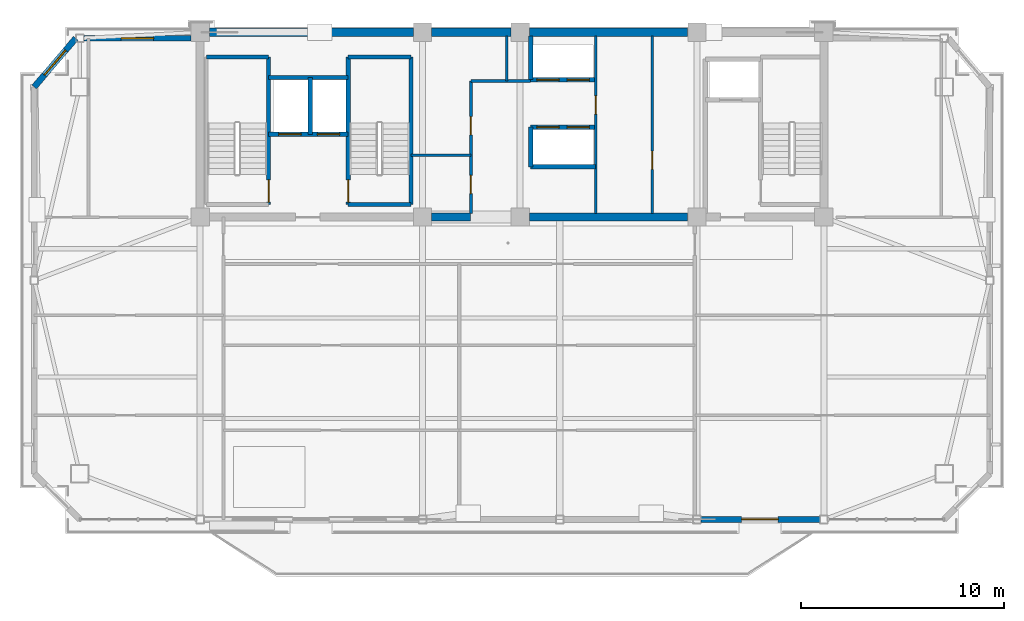
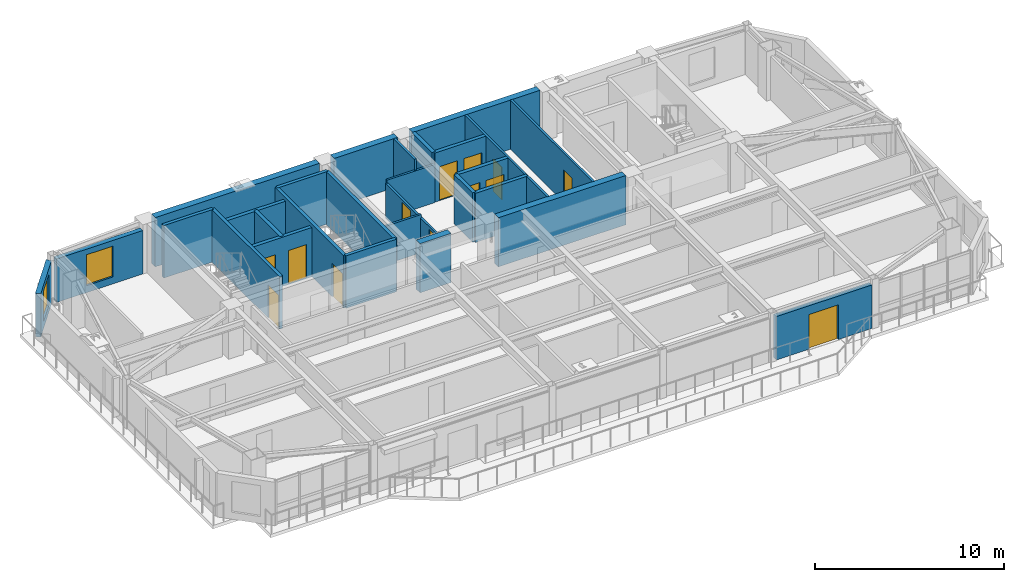
# One storey, part 7 of 13: 28 walls, 13 doors, 2 windows, 15 openings.
"""IFC4 building model written with IfcOpenShell, lengths in metres."""

from ifc_helpers import new_model, si_unit, direction, frame, frame_2d, origin, place, context, subcontext, project, spatial, rectangle, extrude, source, transform, mapped, material, layer, layer_set, type_object, element, fill, save


model = new_model("IFC4")

# Units and contexts
model_context = context("Model", 3, precision=1e-05, world=origin(), true_north=direction((0.0, 1.0)))
body_context = subcontext(model_context, "Body", "Model", "MODEL_VIEW")
ifc_project = project(units=[si_unit("LENGTHUNIT", "METRE"), si_unit("AREAUNIT", "SQUARE_METRE"), si_unit("VOLUMEUNIT", "CUBIC_METRE"), si_unit("PLANEANGLEUNIT", "RADIAN"), si_unit("MASSUNIT", "GRAM", prefix="KILO")], contexts=[model_context])

# Site, building, storey
site_placement = place(None, origin())
site = spatial("IfcSite", under=ifc_project, at=site_placement, CompositionType="ELEMENT")
building_placement = place(site_placement, origin())
building = spatial("IfcBuilding", under=site, at=building_placement, Name="Giltprow Tower", CompositionType="ELEMENT")
storey_placement = place(building_placement, frame((0.0, 0.0, 335.699951171875)))
storey = spatial("IfcBuildingStorey", under=building, at=storey_placement, Name="L87", CompositionType="ELEMENT", Elevation=335.699951171875)

# Wall, opening, window
ifc_material_1 = material(Name="Precast concrete C40", Category="concrete")
ifc_layer_1 = layer(ifc_material_1, 0.300048828125, Name="Precast concrete C40")
ifc_layer_set_1 = layer_set([ifc_layer_1], Name="Precast concrete C40")
wall_type_1 = type_object("IfcWallType", Name="EW-NOTCH-CHAMFER-300", PredefinedType="SOLIDWALL", material=ifc_layer_set_1)
wall_1_placement = place(storey_placement, frame((13.73095703125, 46.25, 0.0), z_axis=(0.0, 0.0, 1.0), x_axis=(-0.64936076944, -0.760480500153, 0.0)))
wall_1 = element("IfcWall", 1, at=wall_1_placement, inside=storey, type_object=wall_type_1, Name="L87 Corner Notch Wall NW", PredefinedType="SOLIDWALL", context=body_context, shape_type="SweptSolid", body=[
    extrude(rectangle(XDim=3.150634765625, YDim=0.300048828125, at=frame_2d((1.5751953125, 0.0))), origin(), (0.0, 0.0, 1.0), 2.81494140625),
])
opening_1_placement = place(wall_1_placement, frame((0.77490234375, 0.0, 0.449951171875)))
opening_1 = element("IfcOpeningElement", 2, at=opening_1_placement, cuts=wall_1, Name="Opening WN17", PredefinedType="OPENING", context=body_context, shape_type="SweptSolid", body=[
    extrude(rectangle(XDim=1.60009765625, YDim=2.0, at=frame_2d((0.800048828125, 1.0))), frame((0.0, 0.159912109375, 0.0), z_axis=(0.0, -1.0, 0.0), x_axis=(1.0, 0.0, 0.0)), (0.0, 0.0, 1.0), 0.320068359375),
])
ifc_material_2 = material(Name="Insulated glass", Category="glass")
window_type = type_object("IfcWindowType", Name="WN-COR-1600x2000", PartitioningType="SINGLE_PANEL", PredefinedType="WINDOW", material=ifc_material_2)
shared_shape_1 = source(origin(), body_context, "Body", "SweptSolid", [
    extrude(rectangle(XDim=1.60009765625, YDim=2.0, at=frame_2d((0.800048828125, 1.0))), frame((0.0, 0.030029296875, 0.0), z_axis=(0.0, -1.0, 0.0), x_axis=(1.0, 0.0, 0.0)), (0.0, 0.0, 1.0), 0.06005859375),
])
window_1_placement = place(opening_1_placement, origin())
window_1 = element("IfcWindow", 3, at=window_1_placement, inside=storey, type_object=window_type, Name="L87 Corner Notch Window NW", OverallHeight=2.0, OverallWidth=1.60009765625, PartitioningType="SINGLE_PANEL", PredefinedType="WINDOW", context=body_context, shape_type="MappedRepresentation", body=[
    mapped(shared_shape_1, transform((0.0, 0.0, 0.0), x_axis=(1.0, 0.0, 0.0), y_axis=(0.0, 1.0, 0.0), z_axis=(0.0, 0.0, 1.0), scale=1.0)),
])
fill(opening_1, window_1)

# Wall, opening, door
ifc_layer_2 = layer(ifc_material_1, 0.280029296875, Name="Precast concrete C40")
ifc_layer_set_2 = layer_set([ifc_layer_2], Name="Precast concrete C40")
wall_type_2 = type_object("IfcWallType", Name="EW-TOW-BRONZE-280", PredefinedType="SOLIDWALL", material=ifc_layer_set_2)
wall_2_placement = place(storey_placement, frame((44.5, 22.568115234375, 0.0), z_axis=(0.0, 0.0, 1.0), x_axis=(1.0, 0.0, 0.0)))
wall_2 = element("IfcWall", 4, at=wall_2_placement, inside=storey, type_object=wall_type_2, Name="L87 South Expressed Frame Wall 5", PredefinedType="SOLIDWALL", context=body_context, shape_type="SweptSolid", body=[
    extrude(rectangle(XDim=5.85009765625, YDim=0.280029296875, at=frame_2d((2.925048828125, 0.0))), origin(), (0.0, 0.0, 1.0), 2.81494140625),
])
opening_2_placement = place(wall_2_placement, frame((2.0, 0.0, 0.0)))
opening_2 = element("IfcOpeningElement", 5, at=opening_2_placement, cuts=wall_2, Name="Opening ED25", PredefinedType="OPENING", context=body_context, shape_type="SweptSolid", body=[
    extrude(rectangle(XDim=1.800048828125, YDim=2.25, at=frame_2d((0.89990234375, 1.125))), frame((0.0, 0.14990234375, 0.0), z_axis=(0.0, -1.0, 0.0), x_axis=(1.0, 0.0, 0.0)), (0.0, 0.0, 1.0), 0.300048828125),
])
ifc_material_3 = material(Name="Anodized bronze and glass", Category="glass")
door_type_1 = type_object("IfcDoorType", Name="DR-BALC-SLIDE-1800", OperationType="SLIDING_TO_LEFT", PredefinedType="DOOR", material=ifc_material_3)
shared_shape_2 = source(origin(), body_context, "Body", "SweptSolid", [
    extrude(rectangle(XDim=1.800048828125, YDim=2.25, at=frame_2d((0.89990234375, 1.125))), frame((0.0, 0.02490234375, 0.0), z_axis=(0.0, -1.0, 0.0), x_axis=(1.0, 0.0, 0.0)), (0.0, 0.0, 1.0), 0.050048828125),
])
door_1_placement = place(opening_2_placement, origin())
door_1 = element("IfcDoor", 6, at=door_1_placement, inside=storey, type_object=door_type_1, Name="L87 Waterfront Balcony Sliding Door 2", OperationType="SLIDING_TO_LEFT", OverallHeight=2.25, OverallWidth=1.800048828125, PredefinedType="DOOR", context=body_context, shape_type="MappedRepresentation", body=[
    mapped(shared_shape_2, transform((0.0, 0.0, 0.0), x_axis=(1.0, 0.0, 0.0), y_axis=(0.0, 1.0, 0.0), z_axis=(0.0, 0.0, 1.0), scale=1.0)),
])
fill(opening_2, door_1)

# Wall, opening, window
wall_3_placement = place(storey_placement, frame((14.131103515625, 46.25, 0.0), z_axis=(0.0, 0.0, 1.0), x_axis=(1.0, 0.0, 0.0)))
wall_3 = element("IfcWall", 7, at=wall_3_placement, inside=storey, type_object=wall_type_2, Name="L87 North-West Wing Wall", PredefinedType="SOLIDWALL", context=body_context, shape_type="SweptSolid", body=[
    extrude(rectangle(XDim=5.268798828125, YDim=0.280029296875, at=frame_2d((2.63427734375, 0.0))), origin(), (0.0, 0.0, 1.0), 2.81494140625),
])
opening_3_placement = place(wall_3_placement, frame((1.833984375, 0.0, 0.449951171875)))
opening_3 = element("IfcOpeningElement", 8, at=opening_3_placement, cuts=wall_3, Name="Opening WN17", PredefinedType="OPENING", context=body_context, shape_type="SweptSolid", body=[
    extrude(rectangle(XDim=1.60009765625, YDim=2.0, at=frame_2d((0.800048828125, 1.0))), frame((0.0, 0.14990234375, 0.0), z_axis=(0.0, -1.0, 0.0), x_axis=(1.0, 0.0, 0.0)), (0.0, 0.0, 1.0), 0.300048828125),
])
window_2_placement = place(opening_3_placement, origin())
window_2 = element("IfcWindow", 9, at=window_2_placement, inside=storey, type_object=window_type, Name="L87 North-West Window", OverallHeight=2.0, OverallWidth=1.60009765625, PartitioningType="SINGLE_PANEL", PredefinedType="WINDOW", context=body_context, shape_type="MappedRepresentation", body=[
    mapped(shared_shape_1, transform((0.0, 0.0, 0.0), x_axis=(1.0, 0.0, 0.0), y_axis=(0.0, 1.0, 0.0), z_axis=(0.0, 0.0, 1.0), scale=1.0)),
])
fill(opening_3, window_2)

# Wall, openings, doors
ifc_material_4 = material(Name="Concrete C40", Category="concrete")
ifc_layer_3 = layer(ifc_material_4, 0.219970703125, Name="Concrete C40")
ifc_layer_set_3 = layer_set([ifc_layer_3], Name="Concrete C40")
wall_type_3 = type_object("IfcWallType", Name="IW-SHAFT-220", PredefinedType="SOLIDWALL", material=ifc_layer_set_3)
wall_4_placement = place(storey_placement, frame((23.219970703125, 41.52001953125, 0.0), z_axis=(0.0, 0.0, 1.0), x_axis=(1.0, 0.0, 0.0)))
wall_4 = element("IfcWall", 10, at=wall_4_placement, inside=storey, type_object=wall_type_3, Name="L87 FFL1 and Service Lift Front Wall", PredefinedType="SOLIDWALL", context=body_context, shape_type="SweptSolid", body=[
    extrude(rectangle(XDim=3.919921875, YDim=0.219970703125, at=frame_2d((1.9599609375, 0.0))), origin(), (0.0, 0.0, 1.0), 3.18505859375),
])
opening_4_placement = place(wall_4_placement, frame((0.5, 0.0, 0.0)))
opening_4 = element("IfcOpeningElement", 11, at=opening_4_placement, cuts=wall_4, Name="Opening LD-11", PredefinedType="OPENING", context=body_context, shape_type="SweptSolid", body=[
    extrude(rectangle(XDim=1.10009765625, YDim=2.199951171875, at=frame_2d((0.550048828125, 1.10009765625))), frame((0.0, 0.119873046875, 0.0), z_axis=(0.0, -1.0, 0.0), x_axis=(1.0, 0.0, 0.0)), (0.0, 0.0, 1.0), 0.239990234375),
])
opening_5_placement = place(wall_4_placement, frame((2.39990234375, 0.0, 0.0)))
opening_5 = element("IfcOpeningElement", 12, at=opening_5_placement, cuts=wall_4, Name="Opening LD-11", PredefinedType="OPENING", context=body_context, shape_type="SweptSolid", body=[
    extrude(rectangle(XDim=1.10009765625, YDim=2.199951171875, at=frame_2d((0.550048828125, 1.10009765625))), frame((0.0, 0.119873046875, 0.0), z_axis=(0.0, -1.0, 0.0), x_axis=(1.0, 0.0, 0.0)), (0.0, 0.0, 1.0), 0.239990234375),
])
ifc_material_5 = material(Name="Stainless steel", Category="steel")
door_type_2 = type_object("IfcDoorType", Name="DR-LIFT-LD1100", OperationType="SLIDING_TO_LEFT", PredefinedType="DOOR", material=ifc_material_5)
shared_shape_3 = source(origin(), body_context, "Body", "SweptSolid", [
    extrude(rectangle(XDim=1.10009765625, YDim=2.199951171875, at=frame_2d((0.550048828125, 1.10009765625))), frame((0.0, 0.02490234375, 0.0), z_axis=(0.0, -1.0, 0.0), x_axis=(1.0, 0.0, 0.0)), (0.0, 0.0, 1.0), 0.050048828125),
])
door_2_placement = place(opening_4_placement, origin())
door_2 = element("IfcDoor", 13, at=door_2_placement, inside=storey, type_object=door_type_2, Name="L87 FFL1 Landing Door", OperationType="SLIDING_TO_LEFT", OverallHeight=2.199951171875, OverallWidth=1.10009765625, PredefinedType="DOOR", context=body_context, shape_type="MappedRepresentation", body=[
    mapped(shared_shape_3, transform((0.0, 0.0, 0.0), x_axis=(1.0, 0.0, 0.0), y_axis=(0.0, 1.0, 0.0), z_axis=(0.0, 0.0, 1.0), scale=1.0)),
])
fill(opening_4, door_2)
door_3_placement = place(opening_5_placement, origin())
door_3 = element("IfcDoor", 14, at=door_3_placement, inside=storey, type_object=door_type_2, Name="L87 SVL1 Landing Door", OperationType="SLIDING_TO_LEFT", OverallHeight=2.199951171875, OverallWidth=1.10009765625, PredefinedType="DOOR", context=body_context, shape_type="MappedRepresentation", body=[
    mapped(shared_shape_3, transform((0.0, 0.0, 0.0), x_axis=(1.0, 0.0, 0.0), y_axis=(0.0, 1.0, 0.0), z_axis=(0.0, 0.0, 1.0), scale=1.0)),
])
fill(opening_5, door_3)

# Walls
wall_5_placement = place(storey_placement, frame((25.260009765625, 41.52001953125, 0.0), z_axis=(0.0, 0.0, 1.0), x_axis=(0.0, 1.0, 0.0)))
element("IfcWall", 15, at=wall_5_placement, inside=storey, type_object=wall_type_3, Name="L87 FFL1-SVL1 Shaft Divider", PredefinedType="SOLIDWALL", context=body_context, shape_type="SweptSolid", body=[
    extrude(rectangle(XDim=2.800048828125, YDim=0.219970703125, at=frame_2d((1.39990234375, 0.0))), origin(), (0.0, 0.0, 1.0), 3.18505859375),
])
wall_6_placement = place(storey_placement, frame((23.219970703125, 44.320068359375, 0.0), z_axis=(0.0, 0.0, 1.0), x_axis=(1.0, 0.0, 0.0)))
element("IfcWall", 16, at=wall_6_placement, inside=storey, type_object=wall_type_3, Name="L87 FFL1-SVL1 Back Shaft Wall", PredefinedType="SOLIDWALL", context=body_context, shape_type="SweptSolid", body=[
    extrude(rectangle(XDim=3.919921875, YDim=0.219970703125, at=frame_2d((1.9599609375, 0.0))), origin(), (0.0, 0.0, 1.0), 3.18505859375),
])

# Wall, openings, doors
wall_7_placement = place(storey_placement, frame((36.1201171875, 44.219970703125, 0.0), z_axis=(0.0, 0.0, 1.0), x_axis=(1.0, 0.0, 0.0)))
wall_7 = element("IfcWall", 17, at=wall_7_placement, inside=storey, type_object=wall_type_3, Name="L87 High-Rise Lift Shaft Front Wall N", PredefinedType="SOLIDWALL", context=body_context, shape_type="SweptSolid", body=[
    extrude(rectangle(XDim=3.199951171875, YDim=0.219970703125, at=frame_2d((1.60009765625, 0.0))), origin(), (0.0, 0.0, 1.0), 3.18505859375),
])
opening_6_placement = place(wall_7_placement, frame((0.300048828125, 0.0, 0.0)))
opening_6 = element("IfcOpeningElement", 18, at=opening_6_placement, cuts=wall_7, Name="Opening LD-11", PredefinedType="OPENING", context=body_context, shape_type="SweptSolid", body=[
    extrude(rectangle(XDim=1.10009765625, YDim=2.199951171875, at=frame_2d((0.550048828125, 1.10009765625))), frame((0.0, 0.119873046875, 0.0), z_axis=(0.0, -1.0, 0.0), x_axis=(1.0, 0.0, 0.0)), (0.0, 0.0, 1.0), 0.239990234375),
])
opening_7_placement = place(wall_7_placement, frame((1.7900390625, 0.0, 0.0)))
opening_7 = element("IfcOpeningElement", 19, at=opening_7_placement, cuts=wall_7, Name="Opening LD-11", PredefinedType="OPENING", context=body_context, shape_type="SweptSolid", body=[
    extrude(rectangle(XDim=1.10009765625, YDim=2.199951171875, at=frame_2d((0.550048828125, 1.10009765625))), frame((0.0, 0.119873046875, 0.0), z_axis=(0.0, -1.0, 0.0), x_axis=(1.0, 0.0, 0.0)), (0.0, 0.0, 1.0), 0.239990234375),
])
door_4_placement = place(opening_6_placement, origin())
door_4 = element("IfcDoor", 20, at=door_4_placement, inside=storey, type_object=door_type_2, Name="L87 PL-H1 Landing Door", OperationType="SLIDING_TO_LEFT", OverallHeight=2.199951171875, OverallWidth=1.10009765625, PredefinedType="DOOR", context=body_context, shape_type="MappedRepresentation", body=[
    mapped(shared_shape_3, transform((0.0, 0.0, 0.0), x_axis=(1.0, 0.0, 0.0), y_axis=(0.0, 1.0, 0.0), z_axis=(0.0, 0.0, 1.0), scale=1.0)),
])
fill(opening_6, door_4)
door_5_placement = place(opening_7_placement, origin())
door_5 = element("IfcDoor", 21, at=door_5_placement, inside=storey, type_object=door_type_2, Name="L87 PL-H2 Landing Door", OperationType="SLIDING_TO_LEFT", OverallHeight=2.199951171875, OverallWidth=1.10009765625, PredefinedType="DOOR", context=body_context, shape_type="MappedRepresentation", body=[
    mapped(shared_shape_3, transform((0.0, 0.0, 0.0), x_axis=(1.0, 0.0, 0.0), y_axis=(0.0, 1.0, 0.0), z_axis=(0.0, 0.0, 1.0), scale=1.0)),
])
fill(opening_7, door_5)

wall_8_placement = place(storey_placement, frame((36.1201171875, 41.8798828125, 0.0), z_axis=(0.0, 0.0, 1.0), x_axis=(1.0, 0.0, 0.0)))
wall_8 = element("IfcWall", 22, at=wall_8_placement, inside=storey, type_object=wall_type_3, Name="L87 High-Rise Lift Shaft Front Wall S", PredefinedType="SOLIDWALL", context=body_context, shape_type="SweptSolid", body=[
    extrude(rectangle(XDim=3.199951171875, YDim=0.219970703125, at=frame_2d((1.60009765625, 0.0))), origin(), (0.0, 0.0, 1.0), 3.18505859375),
])
opening_8_placement = place(wall_8_placement, frame((0.300048828125, 0.0, 0.0)))
opening_8 = element("IfcOpeningElement", 23, at=opening_8_placement, cuts=wall_8, Name="Opening LD-11", PredefinedType="OPENING", context=body_context, shape_type="SweptSolid", body=[
    extrude(rectangle(XDim=1.10009765625, YDim=2.199951171875, at=frame_2d((0.550048828125, 1.10009765625))), frame((0.0, 0.119873046875, 0.0), z_axis=(0.0, -1.0, 0.0), x_axis=(1.0, 0.0, 0.0)), (0.0, 0.0, 1.0), 0.239990234375),
])
opening_9_placement = place(wall_8_placement, frame((1.7900390625, 0.0, 0.0)))
opening_9 = element("IfcOpeningElement", 24, at=opening_9_placement, cuts=wall_8, Name="Opening LD-11", PredefinedType="OPENING", context=body_context, shape_type="SweptSolid", body=[
    extrude(rectangle(XDim=1.10009765625, YDim=2.199951171875, at=frame_2d((0.550048828125, 1.10009765625))), frame((0.0, 0.119873046875, 0.0), z_axis=(0.0, -1.0, 0.0), x_axis=(1.0, 0.0, 0.0)), (0.0, 0.0, 1.0), 0.239990234375),
])
door_6_placement = place(opening_8_placement, origin())
door_6 = element("IfcDoor", 25, at=door_6_placement, inside=storey, type_object=door_type_2, Name="L87 PL-H3 Landing Door", OperationType="SLIDING_TO_LEFT", OverallHeight=2.199951171875, OverallWidth=1.10009765625, PredefinedType="DOOR", context=body_context, shape_type="MappedRepresentation", body=[
    mapped(shared_shape_3, transform((0.0, 0.0, 0.0), x_axis=(1.0, 0.0, 0.0), y_axis=(0.0, 1.0, 0.0), z_axis=(0.0, 0.0, 1.0), scale=1.0)),
])
fill(opening_8, door_6)
door_7_placement = place(opening_9_placement, origin())
door_7 = element("IfcDoor", 26, at=door_7_placement, inside=storey, type_object=door_type_2, Name="L87 PL-H4 Landing Door", OperationType="SLIDING_TO_LEFT", OverallHeight=2.199951171875, OverallWidth=1.10009765625, PredefinedType="DOOR", context=body_context, shape_type="MappedRepresentation", body=[
    mapped(shared_shape_3, transform((0.0, 0.0, 0.0), x_axis=(1.0, 0.0, 0.0), y_axis=(0.0, 1.0, 0.0), z_axis=(0.0, 0.0, 1.0), scale=1.0)),
])
fill(opening_9, door_7)

# Walls
wall_9_placement = place(storey_placement, frame((36.1201171875, 39.919921875, 0.0), z_axis=(0.0, 0.0, 1.0), x_axis=(1.0, 0.0, 0.0)))
element("IfcWall", 27, at=wall_9_placement, inside=storey, type_object=wall_type_3, Name="L87 High-Rise South Lift Back Wall", PredefinedType="SOLIDWALL", context=body_context, shape_type="SweptSolid", body=[
    extrude(rectangle(XDim=3.199951171875, YDim=0.219970703125, at=frame_2d((1.60009765625, 0.0))), origin(), (0.0, 0.0, 1.0), 3.18505859375),
])
wall_10_placement = place(storey_placement, frame((36.1201171875, 39.919921875, 0.0), z_axis=(0.0, 0.0, 1.0), x_axis=(0.0, 1.0, 0.0)))
element("IfcWall", 28, at=wall_10_placement, inside=storey, type_object=wall_type_3, Name="L87 High-Rise South Lift West Closure", PredefinedType="SOLIDWALL", context=body_context, shape_type="SweptSolid", body=[
    extrude(rectangle(XDim=1.9599609375, YDim=0.219970703125, at=frame_2d((0.97998046875, 0.0))), origin(), (0.0, 0.0, 1.0), 3.18505859375),
])
wall_11_placement = place(storey_placement, frame((36.1201171875, 44.219970703125, 0.0), z_axis=(0.0, 0.0, 1.0), x_axis=(0.0, 1.0, 0.0)))
element("IfcWall", 29, at=wall_11_placement, inside=storey, type_object=wall_type_3, Name="L87 High-Rise North Lift West Closure", PredefinedType="SOLIDWALL", context=body_context, shape_type="SweptSolid", body=[
    extrude(rectangle(XDim=2.150146484375, YDim=0.219970703125, at=frame_2d((1.0751953125, 0.0))), origin(), (0.0, 0.0, 1.0), 3.18505859375),
])

# Wall, opening, door
ifc_layer_4 = layer(ifc_material_4, 0.199951171875, Name="Concrete C40")
ifc_layer_set_4 = layer_set([ifc_layer_4], Name="Concrete C40")
wall_type_4 = type_object("IfcWallType", Name="IW-STAIR-200", PredefinedType="SOLIDWALL", material=ifc_layer_set_4)
wall_12_placement = place(storey_placement, frame((23.219970703125, 38.070068359375, 0.0), z_axis=(0.0, 0.0, 1.0), x_axis=(0.0, 1.0, 0.0)))
wall_12 = element("IfcWall", 30, at=wall_12_placement, inside=storey, type_object=wall_type_4, Name="L87 Stair ST-1 East Bearing Wall", PredefinedType="SOLIDWALL", context=body_context, shape_type="SweptSolid", body=[
    extrude(rectangle(XDim=7.25, YDim=0.199951171875, at=frame_2d((3.625, 0.0))), origin(), (0.0, 0.0, 1.0), 3.400146484375),
])
opening_10_placement = place(wall_12_placement, frame((0.110107421875, 0.0, 0.0)))
opening_10 = element("IfcOpeningElement", 31, at=opening_10_placement, cuts=wall_12, Name="Opening ID33", PredefinedType="OPENING", context=body_context, shape_type="SweptSolid", body=[
    extrude(rectangle(XDim=1.10009765625, YDim=2.14990234375, at=frame_2d((0.550048828125, 1.074951171875))), frame((0.0, 0.10986328125, 0.0), z_axis=(0.0, -1.0, 0.0), x_axis=(1.0, 0.0, 0.0)), (0.0, 0.0, 1.0), 0.219970703125),
])
ifc_material_6 = material(Name="Steel fire leaf", Category="steel")
door_type_3 = type_object("IfcDoorType", Name="DR-STAIR-1100", OperationType="SINGLE_SWING_LEFT", PredefinedType="DOOR", material=ifc_material_6)
shared_shape_4 = source(origin(), body_context, "Body", "SweptSolid", [
    extrude(rectangle(XDim=1.10009765625, YDim=2.14990234375, at=frame_2d((0.550048828125, 1.074951171875))), frame((0.0, 0.02490234375, 0.0), z_axis=(0.0, -1.0, 0.0), x_axis=(1.0, 0.0, 0.0)), (0.0, 0.0, 1.0), 0.050048828125),
])
door_8_placement = place(opening_10_placement, origin())
door_8 = element("IfcDoor", 32, at=door_8_placement, inside=storey, type_object=door_type_3, Name="L87 Stair ST-1 Fire Door", OperationType="SINGLE_SWING_RIGHT", OverallHeight=2.14990234375, OverallWidth=1.10009765625, PredefinedType="DOOR", context=body_context, shape_type="MappedRepresentation", body=[
    mapped(shared_shape_4, transform((0.0, 0.0, 0.0), x_axis=(1.0, 0.0, 0.0), y_axis=(0.0, 1.0, 0.0), z_axis=(0.0, 0.0, 1.0), scale=1.0)),
])
fill(opening_10, door_8)

# Wall
wall_13_placement = place(storey_placement, frame((20.169921875, 45.320068359375, 0.0), z_axis=(0.0, 0.0, 1.0), x_axis=(1.0, 0.0, 0.0)))
element("IfcWall", 33, at=wall_13_placement, inside=storey, type_object=wall_type_4, Name="L87 Stair ST-1 North Bearing Wall", PredefinedType="SOLIDWALL", context=body_context, shape_type="SweptSolid", body=[
    extrude(rectangle(XDim=3.050048828125, YDim=0.199951171875, at=frame_2d((1.52490234375, 0.0))), origin(), (0.0, 0.0, 1.0), 3.400146484375),
])

# Wall, opening, door
wall_14_placement = place(storey_placement, frame((27.139892578125, 38.070068359375, 0.0), z_axis=(0.0, 0.0, 1.0), x_axis=(0.0, 1.0, 0.0)))
wall_14 = element("IfcWall", 34, at=wall_14_placement, inside=storey, type_object=wall_type_4, Name="L87 Stair ST-2 West Bearing Wall", PredefinedType="SOLIDWALL", context=body_context, shape_type="SweptSolid", body=[
    extrude(rectangle(XDim=7.25, YDim=0.199951171875, at=frame_2d((3.625, 0.0))), origin(), (0.0, 0.0, 1.0), 3.400146484375),
])
opening_11_placement = place(wall_14_placement, frame((0.110107421875, 0.0, 0.0)))
opening_11 = element("IfcOpeningElement", 35, at=opening_11_placement, cuts=wall_14, Name="Opening ID33", PredefinedType="OPENING", context=body_context, shape_type="SweptSolid", body=[
    extrude(rectangle(XDim=1.10009765625, YDim=2.14990234375, at=frame_2d((0.550048828125, 1.074951171875))), frame((0.0, 0.10986328125, 0.0), z_axis=(0.0, -1.0, 0.0), x_axis=(1.0, 0.0, 0.0)), (0.0, 0.0, 1.0), 0.219970703125),
])
door_9_placement = place(opening_11_placement, origin())
door_9 = element("IfcDoor", 36, at=door_9_placement, inside=storey, type_object=door_type_3, Name="L87 Stair ST-2 Fire Door", OperationType="SINGLE_SWING_LEFT", OverallHeight=2.14990234375, OverallWidth=1.10009765625, PredefinedType="DOOR", context=body_context, shape_type="MappedRepresentation", body=[
    mapped(shared_shape_4, transform((0.0, 0.0, 0.0), x_axis=(1.0, 0.0, 0.0), y_axis=(0.0, 1.0, 0.0), z_axis=(0.0, 0.0, 1.0), scale=1.0)),
])
fill(opening_11, door_9)

# Walls
wall_15_placement = place(storey_placement, frame((30.219970703125, 38.070068359375, 0.0), z_axis=(0.0, 0.0, 1.0), x_axis=(0.0, 1.0, 0.0)))
element("IfcWall", 37, at=wall_15_placement, inside=storey, type_object=wall_type_4, Name="L87 Stair ST-2 East Bearing Wall", PredefinedType="SOLIDWALL", context=body_context, shape_type="SweptSolid", body=[
    extrude(rectangle(XDim=7.25, YDim=0.199951171875, at=frame_2d((3.625, 0.0))), origin(), (0.0, 0.0, 1.0), 3.400146484375),
])
for number, where, z_axis, x_axis, name in (
    (38, (27.139892578125, 45.320068359375, 0.0), (0.0, 0.0, 1.0), (1.0, 0.0, 0.0), "L87 Stair ST-2 North Bearing Wall"),
    (39, (27.139892578125, 38.070068359375, 0.0), (0.0, 0.0, 1.0), (1.0, 0.0, 0.0), "L87 Stair ST-2 South Bearing Wall"),
):
    element("IfcWall", number, at=place(storey_placement, frame(where, z_axis=z_axis, x_axis=x_axis)), inside=storey, type_object=wall_type_4, Name=name, PredefinedType="SOLIDWALL", context=body_context, shape_type="SweptSolid", body=[
        extrude(rectangle(XDim=3.080078125, YDim=0.199951171875, at=frame_2d((1.5400390625, 0.0))), origin(), (0.0, 0.0, 1.0), 3.400146484375),
    ])

# Wall, openings, doors
ifc_material_7 = material(Name="Concrete C30", Category="concrete")
ifc_layer_5 = layer(ifc_material_7, 0.1298828125, Name="Concrete C30")
ifc_layer_set_5 = layer_set([ifc_layer_5], Name="Concrete C30")
wall_type_5 = type_object("IfcWallType", Name="IW-WET-130", PredefinedType="PARTITIONING", material=ifc_layer_set_5)
wall_16_placement = place(storey_placement, frame((33.179931640625, 37.6298828125, 0.0), z_axis=(0.0, 0.0, 1.0), x_axis=(0.0, 1.0, 0.0)))
wall_16 = element("IfcWall", 40, at=wall_16_placement, inside=storey, type_object=wall_type_5, Name="L87 Reclaimed West Core Wall", PredefinedType="PARTITIONING", context=body_context, shape_type="SweptSolid", body=[
    extrude(rectangle(XDim=6.52001953125, YDim=0.1298828125, at=frame_2d((3.260009765625, 0.0))), origin(), (0.0, 0.0, 1.0), 2.27001953125),
])
opening_12_placement = place(wall_16_placement, frame((0.969970703125, 0.0, 0.0)))
opening_12 = element("IfcOpeningElement", 41, at=opening_12_placement, cuts=wall_16, Name="Opening ID35", PredefinedType="OPENING", context=body_context, shape_type="SweptSolid", body=[
    extrude(rectangle(XDim=0.89990234375, YDim=2.10009765625, at=frame_2d((0.449951171875, 1.050048828125))), frame((0.0, 0.074951171875, 0.0), z_axis=(0.0, -1.0, 0.0), x_axis=(1.0, 0.0, 0.0)), (0.0, 0.0, 1.0), 0.14990234375),
])
opening_13_placement = place(wall_16_placement, frame((3.8701171875, 0.0, 0.0)))
opening_13 = element("IfcOpeningElement", 42, at=opening_13_placement, cuts=wall_16, Name="Opening ID35", PredefinedType="OPENING", context=body_context, shape_type="SweptSolid", body=[
    extrude(rectangle(XDim=0.89990234375, YDim=2.10009765625, at=frame_2d((0.449951171875, 1.050048828125))), frame((0.0, 0.074951171875, 0.0), z_axis=(0.0, -1.0, 0.0), x_axis=(1.0, 0.0, 0.0)), (0.0, 0.0, 1.0), 0.14990234375),
])
door_type_4 = type_object("IfcDoorType", Name="DR-SHAFT-900", OperationType="SINGLE_SWING_LEFT", PredefinedType="DOOR", material=ifc_material_6)
shared_shape_5 = source(origin(), body_context, "Body", "SweptSolid", [
    extrude(rectangle(XDim=0.89990234375, YDim=2.10009765625, at=frame_2d((0.449951171875, 1.050048828125))), frame((0.0, 0.02490234375, 0.0), z_axis=(0.0, -1.0, 0.0), x_axis=(1.0, 0.0, 0.0)), (0.0, 0.0, 1.0), 0.050048828125),
])
door_10_placement = place(opening_12_placement, origin())
door_10 = element("IfcDoor", 43, at=door_10_placement, inside=storey, type_object=door_type_4, Name="L87 Core Powder WC Door", OperationType="SINGLE_SWING_LEFT", OverallHeight=2.10009765625, OverallWidth=0.89990234375, PredefinedType="DOOR", context=body_context, shape_type="MappedRepresentation", body=[
    mapped(shared_shape_5, transform((0.0, 0.0, 0.0), x_axis=(1.0, 0.0, 0.0), y_axis=(0.0, 1.0, 0.0), z_axis=(0.0, 0.0, 1.0), scale=1.0)),
])
fill(opening_12, door_10)
door_11_placement = place(opening_13_placement, origin())
door_11 = element("IfcDoor", 44, at=door_11_placement, inside=storey, type_object=door_type_4, Name="L87 Core Sommelier Pantry Door", OperationType="SINGLE_SWING_RIGHT", OverallHeight=2.10009765625, OverallWidth=0.89990234375, PredefinedType="DOOR", context=body_context, shape_type="MappedRepresentation", body=[
    mapped(shared_shape_5, transform((0.0, 0.0, 0.0), x_axis=(1.0, 0.0, 0.0), y_axis=(0.0, 1.0, 0.0), z_axis=(0.0, 0.0, 1.0), scale=1.0)),
])
fill(opening_13, door_11)

# Walls
wall_17_placement = place(storey_placement, frame((34.949951171875, 44.14990234375, 0.0), z_axis=(0.0, 0.0, 1.0), x_axis=(0.0, 1.0, 0.0)))
element("IfcWall", 45, at=wall_17_placement, inside=storey, type_object=wall_type_5, Name="L87 Reclaimed West Pocket Wall E", PredefinedType="PARTITIONING", context=body_context, shape_type="SweptSolid", body=[
    extrude(rectangle(XDim=2.22021484375, YDim=0.1298828125, at=frame_2d((1.110107421875, 0.0))), origin(), (0.0, 0.0, 1.0), 3.18505859375),
])
wall_18_placement = place(storey_placement, frame((33.179931640625, 44.14990234375, 0.0), z_axis=(0.0, 0.0, 1.0), x_axis=(1.0, 0.0, 0.0)))
element("IfcWall", 46, at=wall_18_placement, inside=storey, type_object=wall_type_5, Name="L87 Reclaimed West Pocket Wall S", PredefinedType="PARTITIONING", context=body_context, shape_type="SweptSolid", body=[
    extrude(rectangle(XDim=2.940185546875, YDim=0.1298828125, at=frame_2d((1.47021484375, 0.0))), origin(), (0.0, 0.0, 1.0), 2.469970703125),
])

# Wall, opening, door
wall_19_placement = place(storey_placement, frame((39.320068359375, 37.6298828125, 0.0), z_axis=(0.0, 0.0, 1.0), x_axis=(0.0, 1.0, 0.0)))
wall_19 = element("IfcWall", 47, at=wall_19_placement, inside=storey, type_object=wall_type_5, Name="L87 Reclaimed East Core Wall", PredefinedType="PARTITIONING", context=body_context, shape_type="SweptSolid", body=[
    extrude(rectangle(XDim=8.740234375, YDim=0.1298828125, at=frame_2d((4.3701171875, 0.0))), origin(), (0.0, 0.0, 1.0), 3.18505859375),
])
opening_14_placement = place(wall_19_placement, frame((4.889892578125, 0.0, 0.0)))
opening_14 = element("IfcOpeningElement", 48, at=opening_14_placement, cuts=wall_19, Name="Opening ID35", PredefinedType="OPENING", context=body_context, shape_type="SweptSolid", body=[
    extrude(rectangle(XDim=0.89990234375, YDim=2.10009765625, at=frame_2d((0.449951171875, 1.050048828125))), frame((0.0, 0.074951171875, 0.0), z_axis=(0.0, -1.0, 0.0), x_axis=(1.0, 0.0, 0.0)), (0.0, 0.0, 1.0), 0.14990234375),
])
door_12_placement = place(opening_14_placement, origin())
door_12 = element("IfcDoor", 49, at=door_12_placement, inside=storey, type_object=door_type_4, Name="L87 Core Housekeeping Vestibule Door", OperationType="SINGLE_SWING_LEFT", OverallHeight=2.10009765625, OverallWidth=0.89990234375, PredefinedType="DOOR", context=body_context, shape_type="MappedRepresentation", body=[
    mapped(shared_shape_5, transform((0.0, 0.0, 0.0), x_axis=(1.0, 0.0, 0.0), y_axis=(0.0, 1.0, 0.0), z_axis=(0.0, 0.0, 1.0), scale=1.0)),
])
fill(opening_14, door_12)

# Wall
wall_20_placement = place(storey_placement, frame((30.219970703125, 40.5, 0.0), z_axis=(0.0, 0.0, 1.0), x_axis=(1.0, 0.0, 0.0)))
element("IfcWall", 50, at=wall_20_placement, inside=storey, type_object=wall_type_5, Name="L87 West Core Split 2", PredefinedType="PARTITIONING", context=body_context, shape_type="SweptSolid", body=[
    extrude(rectangle(XDim=2.9599609375, YDim=0.1298828125, at=frame_2d((1.47998046875, 0.0))), origin(), (0.0, 0.0, 1.0), 2.469970703125),
])

# Wall, opening, door
wall_21_placement = place(storey_placement, frame((42.10009765625, 37.6298828125, 0.0), z_axis=(0.0, 0.0, 1.0), x_axis=(0.0, 1.0, 0.0)))
wall_21 = element("IfcWall", 51, at=wall_21_placement, inside=storey, type_object=wall_type_5, Name="L87 East Core Vertical Divider", PredefinedType="PARTITIONING", context=body_context, shape_type="SweptSolid", body=[
    extrude(rectangle(XDim=8.740234375, YDim=0.1298828125, at=frame_2d((4.3701171875, 0.0))), origin(), (0.0, 0.0, 1.0), 3.18505859375),
])
opening_15_placement = place(wall_21_placement, frame((2.169921875, 0.0, 0.0)))
opening_15 = element("IfcOpeningElement", 52, at=opening_15_placement, cuts=wall_21, Name="Opening ID35", PredefinedType="OPENING", context=body_context, shape_type="SweptSolid", body=[
    extrude(rectangle(XDim=0.89990234375, YDim=2.10009765625, at=frame_2d((0.449951171875, 1.050048828125))), frame((0.0, 0.074951171875, 0.0), z_axis=(0.0, -1.0, 0.0), x_axis=(1.0, 0.0, 0.0)), (0.0, 0.0, 1.0), 0.14990234375),
])
door_13_placement = place(opening_15_placement, origin())
door_13 = element("IfcDoor", 53, at=door_13_placement, inside=storey, type_object=door_type_4, Name="L87 Core Wine Store Inner Door", OperationType="SINGLE_SWING_RIGHT", OverallHeight=2.10009765625, OverallWidth=0.89990234375, PredefinedType="DOOR", context=body_context, shape_type="MappedRepresentation", body=[
    mapped(shared_shape_5, transform((0.0, 0.0, 0.0), x_axis=(1.0, 0.0, 0.0), y_axis=(0.0, 1.0, 0.0), z_axis=(0.0, 0.0, 1.0), scale=1.0)),
])
fill(opening_15, door_13)

# Walls
ifc_material_8 = material(Name="Concrete C45", Category="concrete")
ifc_layer_6 = layer(ifc_material_8, 0.39990234375, Name="Concrete C45")
ifc_layer_set_6 = layer_set([ifc_layer_6], Name="Concrete C45")
wall_type_6 = type_object("IfcWallType", Name="SW-EXT-400-C45", PredefinedType="SHEAR", material=ifc_layer_set_6)
wall_22_placement = place(storey_placement, frame((20.300048828125, 46.550048828125, 0.0), z_axis=(0.0, 0.0, 1.0), x_axis=(1.0, 0.0, 0.0)))
element("IfcWall", 54, at=wall_22_placement, inside=storey, type_object=wall_type_6, Name="L87 North Rear Core Shear Wall 1", PredefinedType="SHEAR", context=body_context, shape_type="SweptSolid", body=[
    extrude(rectangle(XDim=10.050048828125, YDim=0.39990234375, at=frame_2d((5.02490234375, 0.0))), origin(), (0.0, 0.0, 1.0), 3.18505859375),
])
wall_23_placement = place(storey_placement, frame((31.25, 46.550048828125, 0.0), z_axis=(0.0, 0.0, 1.0), x_axis=(1.0, 0.0, 0.0)))
element("IfcWall", 55, at=wall_23_placement, inside=storey, type_object=wall_type_6, Name="L87 North Rear Core Shear Wall 2", PredefinedType="SHEAR", context=body_context, shape_type="SweptSolid", body=[
    extrude(rectangle(XDim=3.89990234375, YDim=0.39990234375, at=frame_2d((1.949951171875, 0.0))), origin(), (0.0, 0.0, 1.0), 3.18505859375),
])
wall_24_placement = place(storey_placement, frame((36.050048828125, 46.550048828125, 0.0), z_axis=(0.0, 0.0, 1.0), x_axis=(1.0, 0.0, 0.0)))
element("IfcWall", 56, at=wall_24_placement, inside=storey, type_object=wall_type_6, Name="L87 North Rear Core Shear Wall 3", PredefinedType="SHEAR", context=body_context, shape_type="SweptSolid", body=[
    extrude(rectangle(XDim=7.800048828125, YDim=0.39990234375, at=frame_2d((3.89990234375, 0.0))), origin(), (0.0, 0.0, 1.0), 3.18505859375),
])
ifc_layer_7 = layer(ifc_material_8, 0.39990234375, Name="Concrete C45")
ifc_layer_set_7 = layer_set([ifc_layer_7], Name="Concrete C45")
wall_type_7 = type_object("IfcWallType", Name="SW-INT-400-C45", PredefinedType="SHEAR", material=ifc_layer_set_7)
wall_25_placement = place(storey_placement, frame((31.25, 37.449951171875, 0.0), z_axis=(0.0, 0.0, 1.0), x_axis=(1.0, 0.0, 0.0)))
element("IfcWall", 57, at=wall_25_placement, inside=storey, type_object=wall_type_7, Name="L87 South Rear Core Shear Wall Mid-West", PredefinedType="SHEAR", context=body_context, shape_type="SweptSolid", body=[
    extrude(rectangle(XDim=1.89990234375, YDim=0.39990234375, at=frame_2d((0.949951171875, 0.0))), origin(), (0.0, 0.0, 1.0), 3.18505859375),
])
wall_26_placement = place(storey_placement, frame((36.050048828125, 37.449951171875, 0.0), z_axis=(0.0, 0.0, 1.0), x_axis=(1.0, 0.0, 0.0)))
element("IfcWall", 58, at=wall_26_placement, inside=storey, type_object=wall_type_7, Name="L87 South Rear Core Shear Wall Mid-East", PredefinedType="SHEAR", context=body_context, shape_type="SweptSolid", body=[
    extrude(rectangle(XDim=7.800048828125, YDim=0.39990234375, at=frame_2d((3.89990234375, 0.0))), origin(), (0.0, 0.0, 1.0), 3.18505859375),
])

save(model, "model.ifc")
